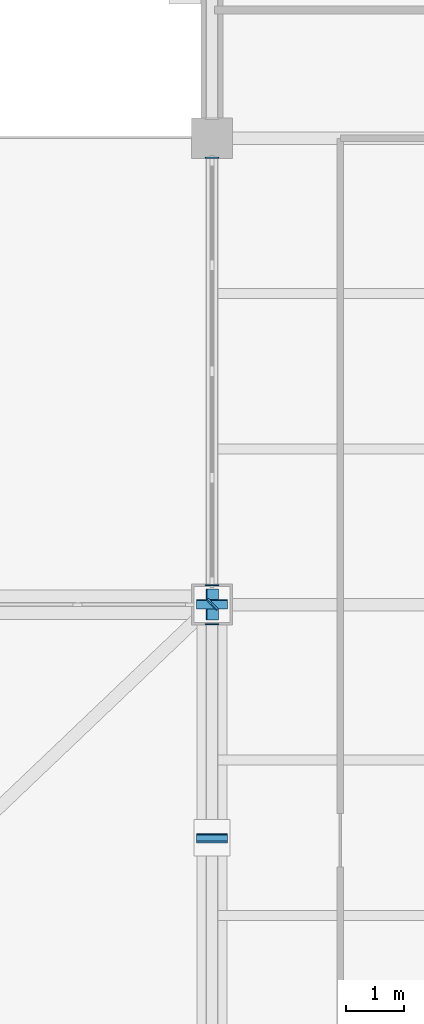
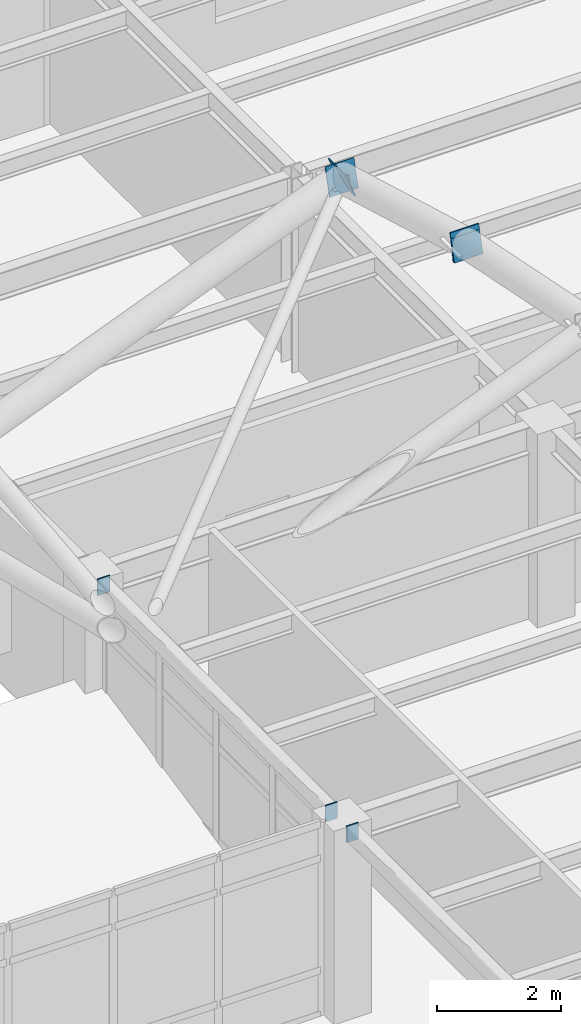
# One storey, part 115 of 138: 8 discrete accessories.
"""IFC4 building model written with IfcOpenShell, lengths in metres."""

from ifc_helpers import new_model, si_unit, direction, frame, origin, origin_2d, place, context, subcontext, project, spatial, rectangle, extrude, material, layer, layer_set, type_object, element, save


model = new_model("IFC4")

# Units and contexts
model_context = context("Model", 3, precision=1e-05, world=origin(), true_north=direction((0.0, 1.0)))
body_context = subcontext(model_context, "Body", "Model", "MODEL_VIEW")
ifc_project = project(units=[si_unit("LENGTHUNIT", "METRE"), si_unit("AREAUNIT", "SQUARE_METRE"), si_unit("VOLUMEUNIT", "CUBIC_METRE"), si_unit("PLANEANGLEUNIT", "RADIAN"), si_unit("MASSUNIT", "GRAM", prefix="KILO")], contexts=[model_context])

# Site, building, storey
site_placement = place(None, origin())
site = spatial("IfcSite", under=ifc_project, at=site_placement, CompositionType="ELEMENT")
building_placement = place(site_placement, origin())
building = spatial("IfcBuilding", under=site, at=building_placement, Name="Kranzveld Transit Interchange", CompositionType="ELEMENT")
storey_placement = place(building_placement, frame((0.0, 0.0, 5.43994140625)))
storey = spatial("IfcBuildingStorey", under=building, at=storey_placement, Name="L01", CompositionType="ELEMENT", Elevation=5.43994140625)

# Discrete accessories
ifc_material = material(Name="Steel S355JR", Category="steel")
ifc_layer = layer(ifc_material, 0.02001953125)
ifc_layer_set = layer_set([ifc_layer], Name="Steel S355JR")
discrete_accessory_type = type_object("IfcDiscreteAccessoryType", Name="Hollow Section End Cap Bracket 20 S355JR", PredefinedType="BRACKET", material=ifc_layer_set)
for number, where, z_axis, x_axis, name in (
    (1, (100.800048828125, 87.656005859375, 3.650146484375), (0.0, 1.0, 0.0), (-1.0, 0.0, 0.0), "Hollow Section End Cap SP-RHS300-2"),
    (2, (100.800048828125, 88.343994140625, 3.650146484375), (0.0, -1.0, 0.0), (1.0, 0.0, 0.0), "Hollow Section End Cap SP-RHS300-1"),
    (3, (100.800048828125, 95.656005859375, 3.650146484375), (0.0, 1.0, 0.0), (-1.0, 0.0, 0.0), "Hollow Section End Cap SP-RHS300-2"),
):
    element("IfcDiscreteAccessory", number, at=place(storey_placement, frame(where, z_axis=z_axis, x_axis=x_axis)), inside=storey, type_object=discrete_accessory_type, Name=name, PredefinedType="BRACKET", context=body_context, shape_type="SweptSolid", body=[
        extrude(rectangle(XDim=0.22412109375, YDim=0.323974609375, at=origin_2d()), origin(), (0.0, 0.0, 1.0), 0.02001953125),
    ])
for number, where, z_axis, x_axis, name in (
    (4, (100.800048828125, 83.99609375, 17.4482421875), (0.0, 0.980580675691, -0.196116135138), (-1.0, 0.0, 0.0), "Hollow Section End Cap B-RNG508-2"),
    (5, (100.800048828125, 84.00390625, 17.446533203125), (0.0, -0.963343002143, 0.268272734774), (1.0, 0.0, 0.0), "Hollow Section End Cap B-RNG508-1"),
    (6, (100.800048828125, 87.99609375, 16.31103515625), (0.0, 0.963343002143, -0.268272734774), (-1.0, 0.0, 0.0), "Hollow Section End Cap B-RNG508-2"),
    (7, (100.79638671875, 88.0, 16.30859375), (0.930155221331, 0.0, 0.367166534736), (0.0, 1.0, 0.0), "Hollow Section End Cap B-RNG508-1"),
):
    element("IfcDiscreteAccessory", number, at=place(storey_placement, frame(where, z_axis=z_axis, x_axis=x_axis)), inside=storey, type_object=discrete_accessory_type, Name=name, PredefinedType="BRACKET", context=body_context, shape_type="SweptSolid", body=[
        extrude(rectangle(XDim=0.531982421875, YDim=0.531982421875, at=origin_2d()), origin(), (0.0, 0.0, 1.0), 0.02001953125),
    ])
discrete_accessory_placement = place(storey_placement, frame((100.797119140625, 87.997314453125, 16.259521484375), z_axis=(0.719887010803, 0.683282586524, 0.122014747594), x_axis=(-0.688426310031, 0.725306290926, 0.0)))
element("IfcDiscreteAccessory", 8, at=discrete_accessory_placement, inside=storey, type_object=discrete_accessory_type, Name="Hollow Section End Cap BR-CHS219-2", PredefinedType="BRACKET", context=body_context, shape_type="SweptSolid", body=[
    extrude(rectangle(XDim=0.2431640625, YDim=0.2431640625, at=origin_2d()), origin(), (0.0, 0.0, 1.0), 0.02001953125),
])

save(model, "model.ifc")
